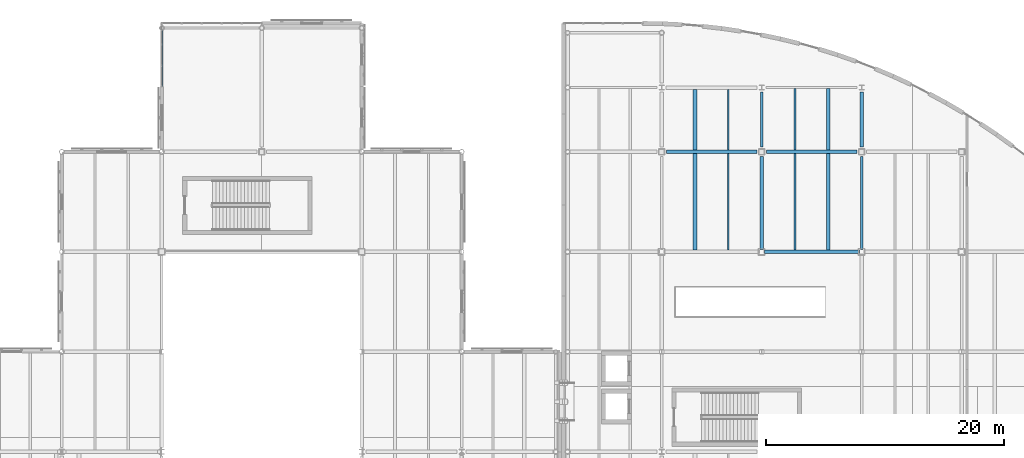
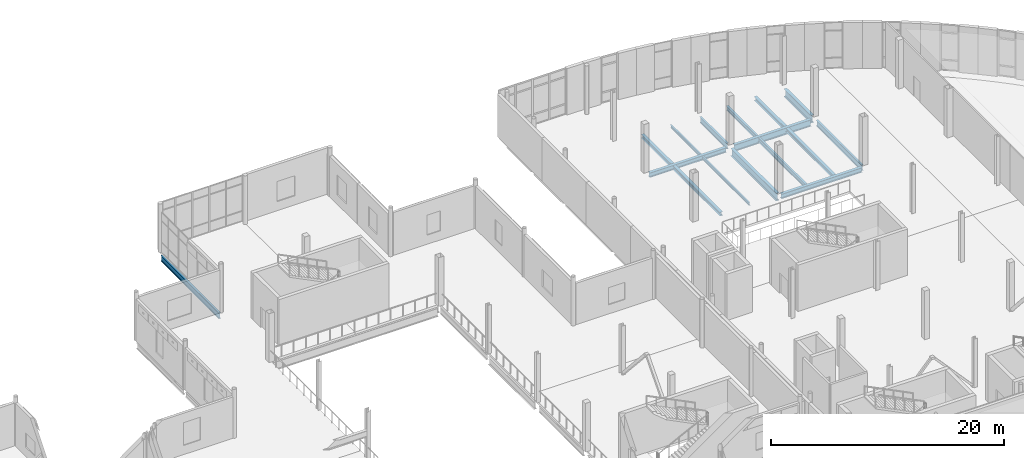
# One storey, part 32 of 104: 16 beams.
"""IFC4 building model written with IfcOpenShell, lengths in metres."""

import ifcopenshell
import ifcopenshell.guid

model = None  # the IFC model being written
_history = None  # IfcOwnerHistory: only IFC2X3 demands one
_inside = {}  # id of a spatial element -> (the spatial element, [elements in it])
_under = {}  # id of a project, library or spatial element -> (it, [spatial elements below it])
_declared = {}  # id of a project -> (the project, [libraries it declares])
_typed = {}  # id of a type object -> (the type object, [elements of that type])
_made_of = {}  # id of a material, layer set ... -> (it, [elements and type objects made of it])


def new_model(schema):
    """Start an empty IFC model of exactly this schema.

    Asked for "IFC4X3", IfcOpenShell would pick the latest addendum, in which some entities
    have other attributes; the version numbers below select the first issue.
    IFC2X3 requires an IfcOwnerHistory on every rooted entity: one is made here for all.
    """
    global model, _history
    if schema == "IFC4X3":
        model = ifcopenshell.file(schema_version=(4, 3, 0, 0))
    else:
        model = ifcopenshell.file(schema=schema)
    _inside.clear()
    _under.clear()
    _declared.clear()
    _typed.clear()
    _made_of.clear()
    _history = None
    if model.schema == "IFC2X3":
        org = make("IfcOrganization", Name="unknown")
        user = make(
            "IfcPersonAndOrganization",
            ThePerson=make("IfcPerson", FamilyName="unknown"),
            TheOrganization=org,
        )
        app = make(
            "IfcApplication",
            ApplicationDeveloper=org,
            Version="unknown",
            ApplicationFullName="unknown",
            ApplicationIdentifier="unknown",
        )
        _history = make(
            "IfcOwnerHistory",
            OwningUser=user,
            OwningApplication=app,
            ChangeAction="ADDED",
            CreationDate=0,
        )
    return model


def make(cls, **values):
    """One entity of the class cls with the attributes given. An attribute that is None is left unset."""
    return model.create_entity(
        cls, **{name: value for name, value in values.items() if value is not None}
    )


def rooted(cls, **values):
    """An entity with a GlobalId (a new one), such as an element, a storey or a relation."""
    return make(cls, GlobalId=ifcopenshell.guid.new(), OwnerHistory=_history, **values)


def si_unit(unit_type, name, prefix=None):
    """IfcSIUnit, for example si_unit("LENGTHUNIT", "METRE", prefix="MILLI")."""
    return make("IfcSIUnit", UnitType=unit_type, Prefix=prefix, Name=name)


def assignment(units):
    """IfcUnitAssignment: the units of a project."""
    return None if units is None else make("IfcUnitAssignment", Units=units)


def point(xyz):
    """IfcCartesianPoint."""
    return None if xyz is None else make("IfcCartesianPoint", Coordinates=xyz)


def direction(xyz):
    """IfcDirection."""
    return None if xyz is None else make("IfcDirection", DirectionRatios=xyz)


def frame(location, z_axis=None, x_axis=None):
    """IfcAxis2Placement3D, a coordinate frame: its origin and axes. An axis left out is left unset."""
    return make(
        "IfcAxis2Placement3D",
        Location=point(location),
        Axis=direction(z_axis),
        RefDirection=direction(x_axis),
    )


def frame_2d(location, x_axis=None):
    """IfcAxis2Placement2D, a coordinate frame in the plane: its origin and x axis."""
    return make(
        "IfcAxis2Placement2D", Location=point(location), RefDirection=direction(x_axis)
    )


def origin():
    """The frame at (0, 0, 0) with its axes left unset."""
    return frame((0.0, 0.0, 0.0))


def origin_2d():
    """The frame at (0, 0) in the plane with its x axis left unset."""
    return frame_2d((0.0, 0.0))


def place(relative_to, where):
    """IfcLocalPlacement: puts the frame where relative to a parent placement (None: the world)."""
    return make(
        "IfcLocalPlacement", PlacementRelTo=relative_to, RelativePlacement=where
    )


def context(
    kind, dimensions, precision=None, world=None, true_north=None, identifier=None
):
    """IfcGeometricRepresentationContext, for example the 3D "Model" context."""
    return make(
        "IfcGeometricRepresentationContext",
        ContextIdentifier=identifier,
        ContextType=kind,
        CoordinateSpaceDimension=dimensions,
        Precision=precision,
        WorldCoordinateSystem=world,
        TrueNorth=true_north,
    )


def subcontext(parent, identifier, kind, view, scale=None):
    """IfcGeometricRepresentationSubContext, for example "Body" below "Model"."""
    return make(
        "IfcGeometricRepresentationSubContext",
        ContextIdentifier=identifier,
        ContextType=kind,
        ParentContext=parent,
        TargetScale=scale,
        TargetView=view,
    )


def project(units=None, contexts=None):
    """IfcProject with its units and contexts."""
    return rooted(
        "IfcProject",
        Name="project",
        RepresentationContexts=contexts,
        UnitsInContext=assignment(units),
    )


def spatial(cls, under=None, at=None, **own):
    """A site, building, storey or space (cls), placed at a placement, below another one or the project."""
    s = rooted(cls, ObjectPlacement=at, **own)
    if under is not None:
        _under.setdefault(under.id(), (under, []))[1].append(s)
    return s


def profile(cls, at=None, kind="AREA", **sizes):
    """A parametric profile (cls). Its sizes go by their IFC names, for example OverallWidth=200.0."""
    return make(cls, ProfileType=kind, Position=at, **sizes)


def i_section(**sizes):
    """IfcIShapeProfileDef."""
    return profile("IfcIShapeProfileDef", **sizes)


def extrude(swept, where, along, depth):
    """IfcExtrudedAreaSolid: the profile swept, set in the frame where, extruded along a direction by depth."""
    return make(
        "IfcExtrudedAreaSolid",
        SweptArea=swept,
        Position=where,
        ExtrudedDirection=direction(along),
        Depth=depth,
    )


def shape(context_of_items, identifier, shape_type, items):
    """IfcShapeRepresentation: the items that make up one representation, for example the "Body"."""
    return make(
        "IfcShapeRepresentation",
        ContextOfItems=context_of_items,
        RepresentationIdentifier=identifier,
        RepresentationType=shape_type,
        Items=items,
    )


def material(Name=None, Category=None):
    """IfcMaterial."""
    return make("IfcMaterial", Name=Name, Category=Category)


def material_profile(
    of_material, cross_section, Name=None, Category=None, Priority=None
):
    """IfcMaterialProfile: a cross section and its material."""
    return make(
        "IfcMaterialProfile",
        Name=Name,
        Material=of_material,
        Profile=cross_section,
        Priority=Priority,
        Category=Category,
    )


def profile_set(profiles, Name=None, composite=None):
    """IfcMaterialProfileSet."""
    return make(
        "IfcMaterialProfileSet",
        Name=Name,
        MaterialProfiles=profiles,
        CompositeProfile=composite,
    )


def made_of(thing, what):
    """Note that an element or type object is made of a material, layer set ...; save() writes the relation."""
    if what is not None:
        _made_of.setdefault(what.id(), (what, []))[1].append(thing)
    return thing


def type_object(cls, material=None, **own):
    """A type object (cls), such as IfcWallType, which elements share."""
    return made_of(rooted(cls, **own), material)


def element(
    cls,
    number,
    at=None,
    inside=None,
    cuts=None,
    type_object=None,
    material=None,
    context=None,
    identifier="Body",
    shape_type=None,
    held_by="IfcProductDefinitionShape",
    body=None,
    shapes=None,
    **own,
):
    """One element of the class cls, such as IfcWall. Its Tag is "e" and its number.

    at: its placement. inside: the storey or other place that contains it. cuts: it is an
    opening in that element (IfcRelVoidsElement). A single representation is given by context,
    identifier, shape_type and body (its items); several are given by shapes. held_by: the class
    of the entity that holds the representations. save() writes the other relations.
    """
    e = rooted(cls, Tag="e%d" % number, ObjectPlacement=at, **own)
    if body is not None:
        shapes = [shape(context, identifier, shape_type, body)]
    if shapes is not None:
        e.Representation = make(held_by, Representations=shapes)
    if inside is not None:
        _inside.setdefault(inside.id(), (inside, []))[1].append(e)
    if cuts is not None:
        rooted(
            "IfcRelVoidsElement", RelatingBuildingElement=cuts, RelatedOpeningElement=e
        )
    if type_object is not None:
        _typed.setdefault(type_object.id(), (type_object, []))[1].append(e)
    return made_of(e, material)


def aggregate(whole, parts):
    """IfcRelAggregates: a whole, such as a stair, and the parts it consists of."""
    return rooted("IfcRelAggregates", RelatingObject=whole, RelatedObjects=parts)


def save(model, path):
    """Write the relations noted so far, then the file.

    IfcRelAggregates (storeys below a building ...), IfcRelContainedInSpatialStructure (elements
    in a storey), IfcRelDefinesByType, IfcRelAssociatesMaterial and IfcRelDeclares: one each for
    every whole, place, type object, material and project.
    """
    for whole, parts in _under.values():
        aggregate(whole, parts)
    for where, things in _inside.values():
        rooted(
            "IfcRelContainedInSpatialStructure",
            RelatedElements=things,
            RelatingStructure=where,
        )
    for kind, things in _typed.values():
        rooted("IfcRelDefinesByType", RelatedObjects=things, RelatingType=kind)
    for what, things in _made_of.values():
        rooted("IfcRelAssociatesMaterial", RelatedObjects=things, RelatingMaterial=what)
    for by, libraries in _declared.values():
        rooted("IfcRelDeclares", RelatingContext=by, RelatedDefinitions=libraries)
    model.write(path)


model = new_model("IFC4")

# Units and contexts
model_context = context("Model", 3, precision=1e-05, world=origin(), true_north=direction((0.0, 1.0)))
body_context = subcontext(model_context, "Body", "Model", "MODEL_VIEW")
ifc_project = project(units=[si_unit("LENGTHUNIT", "METRE"), si_unit("AREAUNIT", "SQUARE_METRE"), si_unit("VOLUMEUNIT", "CUBIC_METRE"), si_unit("PLANEANGLEUNIT", "RADIAN"), si_unit("MASSUNIT", "GRAM", prefix="KILO"), si_unit("THERMODYNAMICTEMPERATUREUNIT", "KELVIN")], contexts=[model_context])

# Site, building, storey
site_placement = place(None, origin())
site = spatial("IfcSite", under=ifc_project, at=site_placement, CompositionType="ELEMENT")
building_placement = place(site_placement, origin())
building = spatial("IfcBuilding", under=site, at=building_placement, Name="Lustrewick Department Store", CompositionType="ELEMENT")
storey_placement = place(building_placement, frame((0.0, 0.0, 11.39990234375)))
storey = spatial("IfcBuildingStorey", under=building, at=storey_placement, Name="L03", CompositionType="ELEMENT", Elevation=11.39990234375)

# Beams
ifc_material = material(Name="Structural steel Q355B", Category="steel")
ifc_material_profile_1 = material_profile(ifc_material, i_section(OverallWidth=0.199951171875, OverallDepth=0.449951171875, WebThickness=0.009033203125, FlangeThickness=0.013916015625, FilletRadius=0.01611328125, at=origin_2d()), Name="HN 450x200x9x14")
ifc_profile_set_1 = profile_set([ifc_material_profile_1], Name="Structural steel Q355B")
beam_type_1 = type_object("IfcBeamType", Name="B03", PredefinedType="JOIST", material=ifc_profile_set_1)
beam_1_placement = place(storey_placement, frame((128.800048828125, 92.550048828125, -0.47998046875), z_axis=(0.0, 1.0, 0.0), x_axis=(-1.0, 0.0, 0.0)))
element("IfcBeam", 1, at=beam_1_placement, inside=storey, type_object=beam_type_1, Name="L03 V4 Secondary Joist B03", PredefinedType="JOIST", context=body_context, shape_type="SweptSolid", body=[
    extrude(i_section(OverallWidth=0.199951171875, OverallDepth=0.449951171875, WebThickness=0.009033203125, FlangeThickness=0.013916015625, FilletRadius=0.01611328125, at=origin_2d()), origin(), (0.0, 0.0, 1.0), 8.099853515625),
])
beam_2_placement = place(storey_placement, frame((128.800048828125, 100.949951171875, -0.47998046875), z_axis=(0.0, 1.0, 0.0), x_axis=(-1.0, 0.0, 0.0)))
element("IfcBeam", 2, at=beam_2_placement, inside=storey, type_object=beam_type_1, Name="L03 V4 Secondary Joist B03", PredefinedType="JOIST", context=body_context, shape_type="SweptSolid", body=[
    extrude(i_section(OverallWidth=0.199951171875, OverallDepth=0.449951171875, WebThickness=0.009033203125, FlangeThickness=0.013916015625, FilletRadius=0.01611328125, at=origin_2d()), origin(), (0.0, 0.0, 1.0), 5.150146484375),
])
ifc_material_profile_2 = material_profile(ifc_material, i_section(OverallWidth=0.300048828125, OverallDepth=0.389892578125, WebThickness=0.010009765625, FlangeThickness=0.01611328125, FilletRadius=0.01806640625, at=origin_2d()), Name="HM 390x300x10x16")
ifc_profile_set_2 = profile_set([ifc_material_profile_2], Name="Structural steel Q355B")
beam_type_2 = type_object("IfcBeamType", Name="B07", PredefinedType="JOIST", material=ifc_profile_set_2)
for number, where, z_axis, x_axis, name in (
    (3, (120.39990234375, 92.550048828125, -0.449951171875), (0.0, 1.0, 0.0), (-1.0, 0.0, 0.0), "L03 V4 Secondary Joist B07"),
    (4, (131.60009765625, 92.550048828125, -0.449951171875), (0.0, 1.0, 0.0), (-1.0, 0.0, 0.0), "L03 V4 Secondary Joist B07"),
):
    element("IfcBeam", number, at=place(storey_placement, frame(where, z_axis=z_axis, x_axis=x_axis)), inside=storey, type_object=beam_type_2, Name=name, PredefinedType="JOIST", context=body_context, shape_type="SweptSolid", body=[
        extrude(i_section(OverallWidth=0.300048828125, OverallDepth=0.389892578125, WebThickness=0.010009765625, FlangeThickness=0.01611328125, FilletRadius=0.01806640625, at=origin_2d()), origin(), (0.0, 0.0, 1.0), 8.099853515625),
    ])
beam_3_placement = place(storey_placement, frame((120.39990234375, 100.949951171875, -0.449951171875), z_axis=(0.0, 1.0, 0.0), x_axis=(-1.0, 0.0, 0.0)))
element("IfcBeam", 5, at=beam_3_placement, inside=storey, type_object=beam_type_2, Name="L03 V4 Secondary Joist B07", PredefinedType="JOIST", context=body_context, shape_type="SweptSolid", body=[
    extrude(i_section(OverallWidth=0.300048828125, OverallDepth=0.389892578125, WebThickness=0.010009765625, FlangeThickness=0.01611328125, FilletRadius=0.01806640625, at=origin_2d()), origin(), (0.0, 0.0, 1.0), 5.10009765625),
])
beam_4_placement = place(storey_placement, frame((131.60009765625, 100.949951171875, -0.449951171875), z_axis=(0.0, 1.0, 0.0), x_axis=(-1.0, 0.0, 0.0)))
element("IfcBeam", 6, at=beam_4_placement, inside=storey, type_object=beam_type_2, Name="L03 V4 Secondary Joist B07", PredefinedType="JOIST", context=body_context, shape_type="SweptSolid", body=[
    extrude(i_section(OverallWidth=0.300048828125, OverallDepth=0.389892578125, WebThickness=0.010009765625, FlangeThickness=0.01611328125, FilletRadius=0.01806640625, at=origin_2d()), origin(), (0.0, 0.0, 1.0), 5.150146484375),
])
ifc_material_profile_3 = material_profile(ifc_material, i_section(OverallWidth=0.14990234375, OverallDepth=0.300048828125, WebThickness=0.006591796875, FlangeThickness=0.009033203125, FilletRadius=0.011962890625, at=origin_2d()), Name="HN 300x150x6.5x9")
ifc_profile_set_3 = profile_set([ifc_material_profile_3], Name="Structural steel Q355B")
beam_type_3 = type_object("IfcBeamType", Name="B11", PredefinedType="JOIST", material=ifc_profile_set_3)
beam_5_placement = place(storey_placement, frame((123.199951171875, 92.550048828125, -0.40478515625), z_axis=(0.0, 1.0, 0.0), x_axis=(-1.0, 0.0, 0.0)))
element("IfcBeam", 7, at=beam_5_placement, inside=storey, type_object=beam_type_3, Name="L03 V4 Secondary Joist B11", PredefinedType="JOIST", context=body_context, shape_type="SweptSolid", body=[
    extrude(i_section(OverallWidth=0.14990234375, OverallDepth=0.300048828125, WebThickness=0.006591796875, FlangeThickness=0.009033203125, FilletRadius=0.011962890625, at=origin_2d()), origin(), (0.0, 0.0, 1.0), 8.099853515625),
])
beam_6_placement = place(storey_placement, frame((123.199951171875, 100.949951171875, -0.40478515625), z_axis=(0.0, 1.0, 0.0), x_axis=(-1.0, 0.0, 0.0)))
element("IfcBeam", 8, at=beam_6_placement, inside=storey, type_object=beam_type_3, Name="L03 V4 Secondary Joist B11", PredefinedType="JOIST", context=body_context, shape_type="SweptSolid", body=[
    extrude(i_section(OverallWidth=0.14990234375, OverallDepth=0.300048828125, WebThickness=0.006591796875, FlangeThickness=0.009033203125, FilletRadius=0.011962890625, at=origin_2d()), origin(), (0.0, 0.0, 1.0), 5.10009765625),
])
ifc_material_profile_4 = material_profile(ifc_material, i_section(OverallWidth=0.300048828125, OverallDepth=0.800048828125, WebThickness=0.013916015625, FlangeThickness=0.02587890625, FilletRadius=0.02197265625, at=origin_2d()), Name="HN 800x300x14x26")
ifc_profile_set_4 = profile_set([ifc_material_profile_4], Name="Structural steel Q355B")
beam_type_4 = type_object("IfcBeamType", Name="G05", PredefinedType="BEAM", material=ifc_profile_set_4)
beam_7_placement = place(storey_placement, frame((126.0, 92.60009765625, -0.65478515625), z_axis=(0.0, 1.0, 0.0), x_axis=(-1.0, 0.0, 0.0)))
element("IfcBeam", 9, at=beam_7_placement, inside=storey, type_object=beam_type_4, Name="L03 V4 Girder G05", PredefinedType="BEAM", context=body_context, shape_type="SweptSolid", body=[
    extrude(i_section(OverallWidth=0.300048828125, OverallDepth=0.800048828125, WebThickness=0.013916015625, FlangeThickness=0.02587890625, FilletRadius=0.02197265625, at=origin_2d()), origin(), (0.0, 0.0, 1.0), 7.7998046875),
])
beam_8_placement = place(storey_placement, frame((134.39990234375, 101.199951171875, -0.65478515625), z_axis=(0.0, 1.0, 0.0), x_axis=(-1.0, 0.0, 0.0)))
element("IfcBeam", 10, at=beam_8_placement, inside=storey, type_object=beam_type_4, Name="L03 V4 Girder G05", PredefinedType="BEAM", context=body_context, shape_type="SweptSolid", body=[
    extrude(i_section(OverallWidth=0.300048828125, OverallDepth=0.800048828125, WebThickness=0.013916015625, FlangeThickness=0.02587890625, FilletRadius=0.02197265625, at=origin_2d()), origin(), (0.0, 0.0, 1.0), 4.625),
])
ifc_material_profile_5 = material_profile(ifc_material, i_section(OverallWidth=0.300048828125, OverallDepth=0.69189453125, WebThickness=0.012939453125, FlangeThickness=0.02001953125, FilletRadius=0.02001953125, at=origin_2d()), Name="HN 692x300x13x20")
ifc_profile_set_5 = profile_set([ifc_material_profile_5], Name="Structural steel Q355B")
beam_type_5 = type_object("IfcBeamType", Name="G09", PredefinedType="BEAM", material=ifc_profile_set_5)
beam_9_placement = place(storey_placement, frame((126.39990234375, 100.800048828125, -0.600830078125), z_axis=(1.0, 0.0, 0.0), x_axis=(0.0, 1.0, 0.0)))
element("IfcBeam", 11, at=beam_9_placement, inside=storey, type_object=beam_type_5, Name="L03 V4 Girder G09", PredefinedType="BEAM", context=body_context, shape_type="SweptSolid", body=[
    extrude(i_section(OverallWidth=0.300048828125, OverallDepth=0.69189453125, WebThickness=0.012939453125, FlangeThickness=0.02001953125, FilletRadius=0.02001953125, at=origin_2d()), origin(), (0.0, 0.0, 1.0), 7.60009765625),
])
ifc_material_profile_6 = material_profile(ifc_material, i_section(OverallWidth=0.199951171875, OverallDepth=0.60009765625, WebThickness=0.010986328125, FlangeThickness=0.01708984375, FilletRadius=0.01806640625, at=origin_2d()), Name="HN 600x200x11x17")
ifc_profile_set_6 = profile_set([ifc_material_profile_6], Name="Structural steel Q355B")
beam_type_6 = type_object("IfcBeamType", Name="G14", PredefinedType="BEAM", material=ifc_profile_set_6)
beam_10_placement = place(storey_placement, frame((75.60009765625, 101.0029296875, -0.554931640625), z_axis=(0.0, 1.0, 0.0), x_axis=(-1.0, 0.0, 0.0)))
element("IfcBeam", 12, at=beam_10_placement, inside=storey, type_object=beam_type_6, Name="L03 V2 Girder G14", PredefinedType="BEAM", context=body_context, shape_type="SweptSolid", body=[
    extrude(i_section(OverallWidth=0.199951171875, OverallDepth=0.60009765625, WebThickness=0.010986328125, FlangeThickness=0.01708984375, FilletRadius=0.01806640625, at=origin_2d()), origin(), (0.0, 0.0, 1.0), 9.994140625),
])
beam_11_placement = place(storey_placement, frame((126.0, 101.199951171875, -0.554931640625), z_axis=(0.0, 1.0, 0.0), x_axis=(-1.0, 0.0, 0.0)))
element("IfcBeam", 13, at=beam_11_placement, inside=storey, type_object=beam_type_6, Name="L03 V4 Girder G14", PredefinedType="BEAM", context=body_context, shape_type="SweptSolid", body=[
    extrude(i_section(OverallWidth=0.199951171875, OverallDepth=0.60009765625, WebThickness=0.010986328125, FlangeThickness=0.01708984375, FilletRadius=0.01806640625, at=origin_2d()), origin(), (0.0, 0.0, 1.0), 4.625),
])
beam_12_placement = place(storey_placement, frame((134.39990234375, 92.60009765625, -0.554931640625), z_axis=(0.0, 1.0, 0.0), x_axis=(-1.0, 0.0, 0.0)))
element("IfcBeam", 14, at=beam_12_placement, inside=storey, type_object=beam_type_6, Name="L03 V4 Girder G14", PredefinedType="BEAM", context=body_context, shape_type="SweptSolid", body=[
    extrude(i_section(OverallWidth=0.199951171875, OverallDepth=0.60009765625, WebThickness=0.010986328125, FlangeThickness=0.01708984375, FilletRadius=0.01806640625, at=origin_2d()), origin(), (0.0, 0.0, 1.0), 7.7998046875),
])
ifc_material_profile_7 = material_profile(ifc_material, i_section(OverallWidth=0.300048828125, OverallDepth=0.48193359375, WebThickness=0.010986328125, FlangeThickness=0.014892578125, FilletRadius=0.02197265625, at=origin_2d()), Name="HM 482x300x11x15")
ifc_profile_set_7 = profile_set([ifc_material_profile_7], Name="Structural steel Q355B")
beam_type_7 = type_object("IfcBeamType", Name="G20", PredefinedType="BEAM", material=ifc_profile_set_7)
beam_13_placement = place(storey_placement, frame((126.199951171875, 92.39990234375, -0.495849609375), z_axis=(1.0, 0.0, 0.0), x_axis=(0.0, 1.0, 0.0)))
element("IfcBeam", 15, at=beam_13_placement, inside=storey, type_object=beam_type_7, Name="L03 V4 Girder G20", PredefinedType="BEAM", context=body_context, shape_type="SweptSolid", body=[
    extrude(i_section(OverallWidth=0.300048828125, OverallDepth=0.48193359375, WebThickness=0.010986328125, FlangeThickness=0.014892578125, FilletRadius=0.02197265625, at=origin_2d()), origin(), (0.0, 0.0, 1.0), 8.0),
])
beam_14_placement = place(storey_placement, frame((118.0, 100.800048828125, -0.495849609375), z_axis=(1.0, 0.0, 0.0), x_axis=(0.0, 1.0, 0.0)))
element("IfcBeam", 16, at=beam_14_placement, inside=storey, type_object=beam_type_7, Name="L03 V4 Girder G20", PredefinedType="BEAM", context=body_context, shape_type="SweptSolid", body=[
    extrude(i_section(OverallWidth=0.300048828125, OverallDepth=0.48193359375, WebThickness=0.010986328125, FlangeThickness=0.014892578125, FilletRadius=0.02197265625, at=origin_2d()), origin(), (0.0, 0.0, 1.0), 7.60009765625),
])

save(model, "model.ifc")
